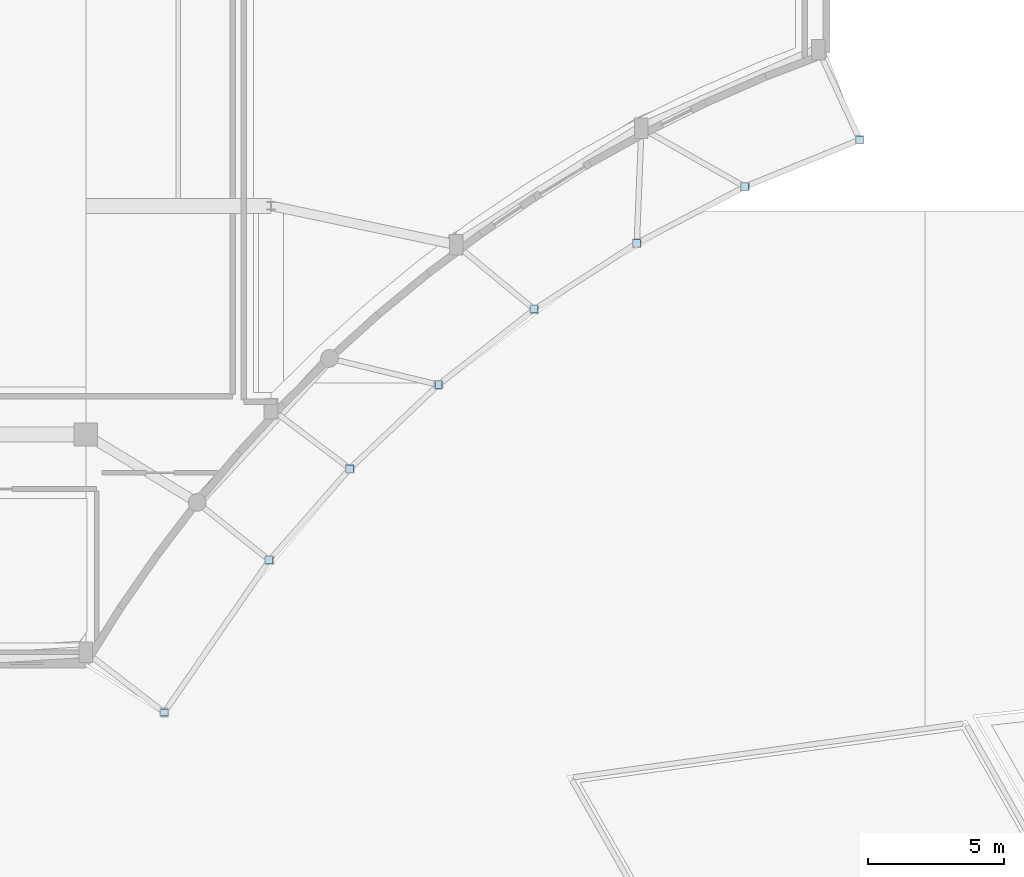
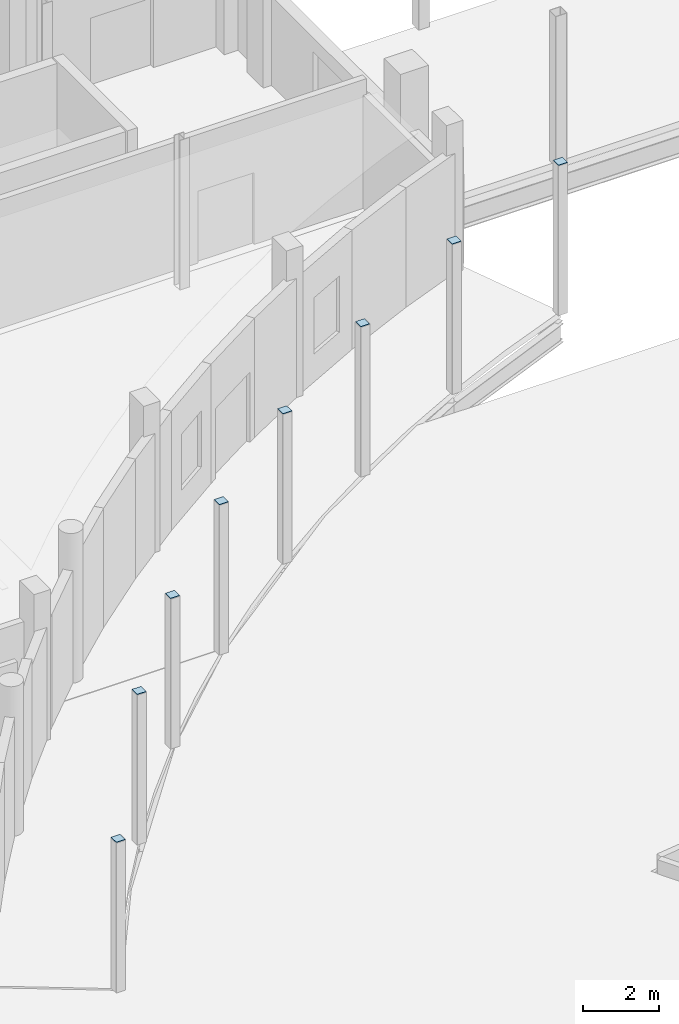
# One storey, part 58 of 97: 8 plates.
"""IFC4 building model written with IfcOpenShell, lengths in metres."""

from ifc_helpers import new_model, si_unit, direction, frame, origin, origin_2d, place, context, subcontext, project, spatial, rectangle, extrude, material, layer, layer_set, type_object, element, save


model = new_model("IFC4")

# Units and contexts
model_context = context("Model", 3, precision=1e-05, world=origin(), true_north=direction((0.0, 1.0)))
body_context = subcontext(model_context, "Body", "Model", "MODEL_VIEW")
ifc_project = project(units=[si_unit("LENGTHUNIT", "METRE"), si_unit("AREAUNIT", "SQUARE_METRE"), si_unit("VOLUMEUNIT", "CUBIC_METRE"), si_unit("PLANEANGLEUNIT", "RADIAN"), si_unit("MASSUNIT", "GRAM", prefix="KILO")], contexts=[model_context])

# Site, building, storey
site_placement = place(None, origin())
site = spatial("IfcSite", under=ifc_project, at=site_placement, CompositionType="ELEMENT")
building_placement = place(site_placement, origin())
building = spatial("IfcBuilding", under=site, at=building_placement, Name="Kisaragi Civic Commons", CompositionType="ELEMENT")
storey_placement = place(building_placement, origin())
storey = spatial("IfcBuildingStorey", under=building, at=storey_placement, Name="L00", CompositionType="ELEMENT", Elevation=0.0)

# Plates
ifc_material = material(Name="Steel SN490 (SN490B)", Category="steel")
ifc_layer = layer(ifc_material, 0.01611328125, Name="Steel SN490 (SN490B)", Category="steel")
ifc_layer_set = layer_set([ifc_layer], Name="Steel SN490 (SN490B)")
plate_type = type_object("IfcPlateType", Name="CP-03", PredefinedType="SHEET", material=ifc_layer_set)
for number, where, z_axis, x_axis, name in (
    (1, (30.08203125, 77.39599609375, 4.800048828125), (0.0, 0.0, 1.0), (1.0, 0.0, 0.0), "L00 column cap plate CP-03 (30.1,77.4)"),
    (2, (33.943603515625, 82.98388671875, 4.800048828125), (0.0, 0.0, 1.0), (1.0, 0.0, 0.0), "L00 column cap plate CP-03 (33.9,83.0)"),
    (3, (36.898193359375, 86.34912109375, 4.800048828125), (0.0, 0.0, 1.0), (1.0, 0.0, 0.0), "L00 column cap plate CP-03 (36.9,86.3)"),
    (4, (40.14990234375, 89.427734375, 4.800048828125), (0.0, 0.0, 1.0), (1.0, 0.0, 0.0), "L00 column cap plate CP-03 (40.1,89.4)"),
    (5, (43.67138671875, 92.194091796875, 4.800048828125), (0.0, 0.0, 1.0), (1.0, 0.0, 0.0), "L00 column cap plate CP-03 (43.7,92.2)"),
    (6, (47.4326171875, 94.62451171875, 4.800048828125), (0.0, 0.0, 1.0), (1.0, 0.0, 0.0), "L00 column cap plate CP-03 (47.4,94.6)"),
    (7, (51.401611328125, 96.698486328125, 4.800048828125), (0.0, 0.0, 1.0), (1.0, 0.0, 0.0), "L00 column cap plate CP-03 (51.4,96.7)"),
    (8, (55.617919921875, 98.425537109375, 4.800048828125), (0.0, 0.0, 1.0), (1.0, 0.0, 0.0), "L00 column cap plate CP-03 (55.6,98.4)"),
):
    element("IfcPlate", number, at=place(storey_placement, frame(where, z_axis=z_axis, x_axis=x_axis)), inside=storey, type_object=plate_type, Name=name, PredefinedType="SHEET", context=body_context, shape_type="SweptSolid", body=[
        extrude(rectangle(XDim=0.27001953125, YDim=0.27001953125, at=origin_2d()), origin(), (0.0, 0.0, 1.0), 0.01611328125),
    ])

save(model, "model.ifc")
